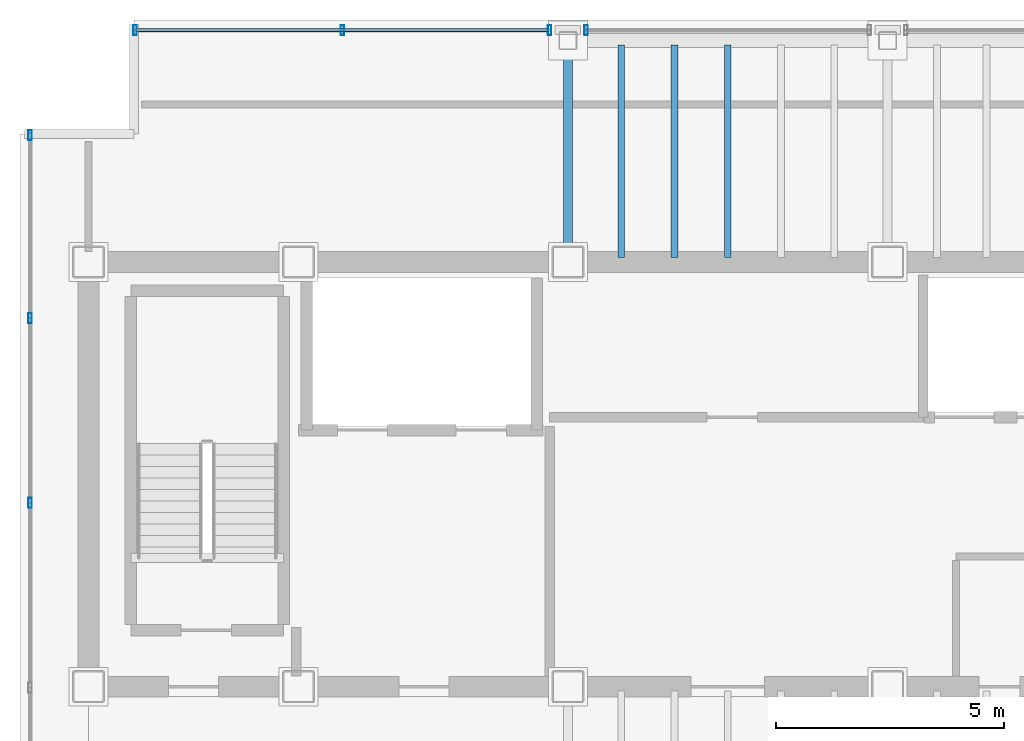
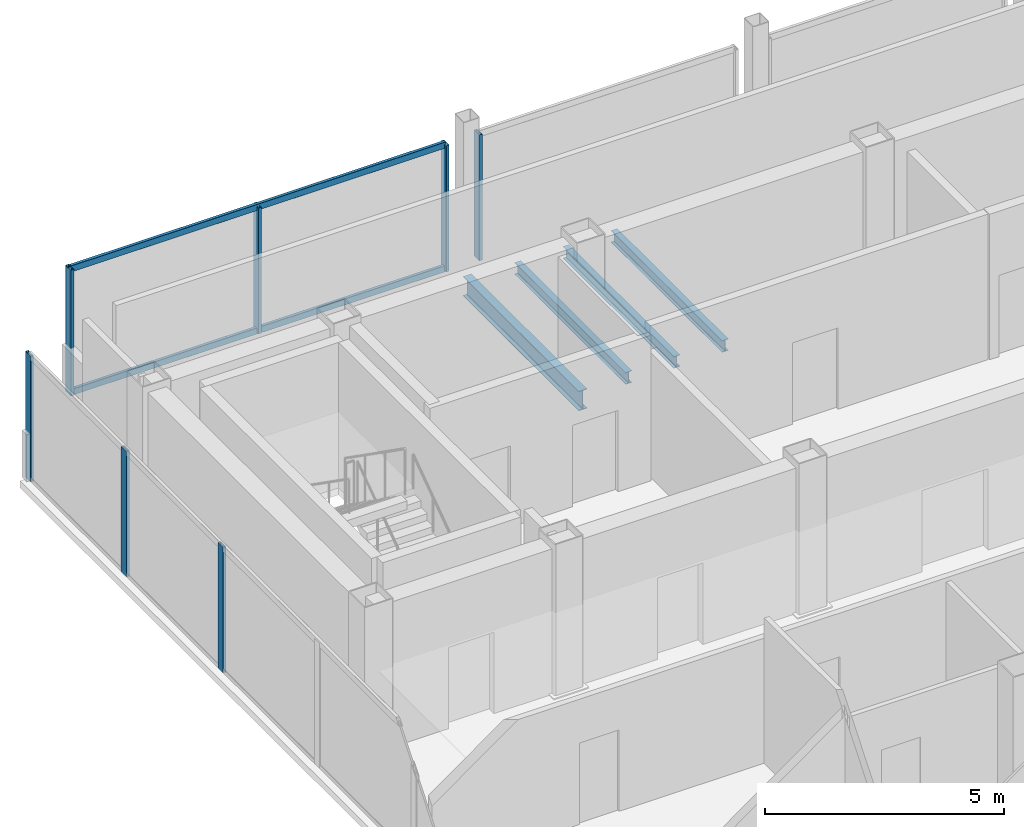
# One storey, part 8 of 17: 9 members, 4 beams, 3 elements without a shape of their own.
"""IFC4 building model written with IfcOpenShell, lengths in metres."""

from ifc_helpers import new_model, si_unit, direction, frame, origin, origin_2d, place, context, subcontext, project, spatial, hollow_rectangle, i_section, extrude, material, material_profile, profile_set, type_object, element, aggregate, save


model = new_model("IFC4")

# Units and contexts
model_context = context("Model", 3, precision=1e-05, world=origin(), true_north=direction((0.0, 1.0)))
body_context = subcontext(model_context, "Body", "Model", "MODEL_VIEW")
ifc_project = project(units=[si_unit("LENGTHUNIT", "METRE"), si_unit("AREAUNIT", "SQUARE_METRE"), si_unit("VOLUMEUNIT", "CUBIC_METRE"), si_unit("PLANEANGLEUNIT", "RADIAN"), si_unit("MASSUNIT", "GRAM", prefix="KILO")], contexts=[model_context])

# Site, building, storey
site_placement = place(None, origin())
site = spatial("IfcSite", under=ifc_project, at=site_placement, CompositionType="ELEMENT")
building_placement = place(site_placement, origin())
building = spatial("IfcBuilding", under=site, at=building_placement, Name="Noeulbin Bourse Tower", CompositionType="ELEMENT")
storey_placement = place(building_placement, frame((0.0, 0.0, 293.0)))
storey = spatial("IfcBuildingStorey", under=building, at=storey_placement, Name="L73", CompositionType="ELEMENT", Elevation=293.0)

# Beams
ifc_material_1 = material(Name="Steel S355", Category="steel")
ifc_material_profile_1 = material_profile(ifc_material_1, i_section(OverallWidth=0.199951171875, OverallDepth=0.5, WebThickness=0.010009765625, FlangeThickness=0.01611328125, FilletRadius=0.02001953125, at=origin_2d()), Name="H-500x200x10x16", Category="LoadBearing")
ifc_profile_set_1 = profile_set([ifc_material_profile_1], Name="Steel S355")
beam_type_1 = type_object("IfcBeamType", Name="BM-GRD-500", PredefinedType="USERDEFINED", material=ifc_profile_set_1)
beam_placement = place(storey_placement, frame((24.0, 38.300048828125, -0.429931640625), z_axis=(0.0, 1.0, 0.0), x_axis=(-1.0, 0.0, 0.0)))
element("IfcBeam", 1, at=beam_placement, inside=storey, type_object=beam_type_1, Name="Tower Primary Girder NS L73-2.4", ObjectType="GIRDER", PredefinedType="USERDEFINED", context=body_context, shape_type="SweptSolid", body=[
    extrude(i_section(OverallWidth=0.199951171875, OverallDepth=0.5, WebThickness=0.010009765625, FlangeThickness=0.01611328125, FilletRadius=0.02001953125, at=origin_2d()), origin(), (0.0, 0.0, 1.0), 4.849853515625),
])
ifc_material_profile_2 = material_profile(ifc_material_1, i_section(OverallWidth=0.14990234375, OverallDepth=0.300048828125, WebThickness=0.006591796875, FlangeThickness=0.009033203125, FilletRadius=0.012939453125, at=origin_2d()), Name="H-300x150x6.5x9", Category="LoadBearing")
ifc_profile_set_2 = profile_set([ifc_material_profile_2], Name="Steel S355")
beam_type_2 = type_object("IfcBeamType", Name="BM-JST-300", PredefinedType="JOIST", material=ifc_profile_set_2)
for number, where, z_axis, x_axis, name in (
    (2, (25.166748046875, 38.39990234375, -0.330078125), (0.0, 1.0, 0.0), (-1.0, 0.0, 0.0), "Tower Composite Joist L73-02"),
    (3, (26.333251953125, 38.39990234375, -0.330078125), (0.0, 1.0, 0.0), (-1.0, 0.0, 0.0), "Tower Composite Joist L73-04"),
    (4, (27.5, 38.39990234375, -0.330078125), (0.0, 1.0, 0.0), (-1.0, 0.0, 0.0), "Tower Composite Joist L73-06"),
):
    element("IfcBeam", number, at=place(storey_placement, frame(where, z_axis=z_axis, x_axis=x_axis)), inside=storey, type_object=beam_type_2, Name=name, PredefinedType="JOIST", context=body_context, shape_type="SweptSolid", body=[
        extrude(i_section(OverallWidth=0.14990234375, OverallDepth=0.300048828125, WebThickness=0.006591796875, FlangeThickness=0.009033203125, FilletRadius=0.012939453125, at=origin_2d()), origin(), (0.0, 0.0, 1.0), 4.650146484375),
    ])

# Curtain wall, members
ifc_material_2 = material(Name="High-Selectivity Low-Iron Glazing", Category="glass")
curtain_wall_type = type_object("IfcCurtainWallType", Name="CW-SYS-4", PredefinedType="NOTDEFINED", material=ifc_material_2)
curtain_wall_1_placement = place(storey_placement, origin())
curtain_wall_1 = element("IfcCurtainWall", 5, at=curtain_wall_1_placement, inside=storey, type_object=curtain_wall_type, Name="Unitised Curtain Wall CW-L73-N-S1", PredefinedType="NOTDEFINED")
ifc_material_3 = material(Name="Anodised Aluminium 6063-T6", Category="aluminium")
ifc_material_profile_3 = material_profile(ifc_material_3, hollow_rectangle(XDim=0.074951171875, YDim=0.219970703125, WallThickness=0.0048828125, InnerFilletRadius=0.00244140625, OuterFilletRadius=0.0048828125, at=origin_2d()), Name="ALU-MULL-75x220x5", Category="LoadBearing")
ifc_profile_set_3 = profile_set([ifc_material_profile_3], Name="Anodised Aluminium 6063-T6")
member_type_1 = type_object("IfcMemberType", Name="CW-SYS-4-MUL", PredefinedType="MULLION", material=ifc_profile_set_3)
member_1_placement = place(storey_placement, frame((14.52001953125, 43.3798828125, -0.02001953125), z_axis=(0.0, 0.0, 1.0), x_axis=(1.0, 0.0, 0.0)))
member_1 = element("IfcMember", 6, at=member_1_placement, type_object=member_type_1, Name="Curtain Wall Mullion CW-L73-N-S1-M00", PredefinedType="MULLION", context=body_context, shape_type="SweptSolid", body=[
    extrude(hollow_rectangle(XDim=0.074951171875, YDim=0.219970703125, WallThickness=0.0048828125, InnerFilletRadius=0.00244140625, OuterFilletRadius=0.0048828125, at=origin_2d()), origin(), (0.0, 0.0, 1.0), 3.219970703125),
])
member_2_placement = place(storey_placement, frame((19.06005859375, 43.3798828125, -0.02001953125), z_axis=(0.0, 0.0, 1.0), x_axis=(1.0, 0.0, 0.0)))
member_2 = element("IfcMember", 7, at=member_2_placement, type_object=member_type_1, Name="Curtain Wall Mullion CW-L73-N-S1-M01", PredefinedType="MULLION", context=body_context, shape_type="SweptSolid", body=[
    extrude(hollow_rectangle(XDim=0.074951171875, YDim=0.219970703125, WallThickness=0.0048828125, InnerFilletRadius=0.00244140625, OuterFilletRadius=0.0048828125, at=origin_2d()), origin(), (0.0, 0.0, 1.0), 3.219970703125),
])
member_3_placement = place(storey_placement, frame((23.60009765625, 43.3798828125, -0.02001953125), z_axis=(0.0, 0.0, 1.0), x_axis=(1.0, 0.0, 0.0)))
member_3 = element("IfcMember", 8, at=member_3_placement, type_object=member_type_1, Name="Curtain Wall Mullion CW-L73-N-S1-M02", PredefinedType="MULLION", context=body_context, shape_type="SweptSolid", body=[
    extrude(hollow_rectangle(XDim=0.074951171875, YDim=0.219970703125, WallThickness=0.0048828125, InnerFilletRadius=0.00244140625, OuterFilletRadius=0.0048828125, at=origin_2d()), origin(), (0.0, 0.0, 1.0), 3.219970703125),
])

# Curtain wall, member
curtain_wall_2_placement = place(storey_placement, origin())
curtain_wall_2 = element("IfcCurtainWall", 9, at=curtain_wall_2_placement, inside=storey, type_object=curtain_wall_type, Name="Unitised Curtain Wall CW-L73-N-S2", PredefinedType="NOTDEFINED")
member_4_placement = place(storey_placement, frame((24.39990234375, 43.3798828125, -0.02001953125), z_axis=(0.0, 0.0, 1.0), x_axis=(1.0, 0.0, 0.0)))
member_4 = element("IfcMember", 10, at=member_4_placement, type_object=member_type_1, Name="Curtain Wall Mullion CW-L73-N-S2-M00", PredefinedType="MULLION", context=body_context, shape_type="SweptSolid", body=[
    extrude(hollow_rectangle(XDim=0.074951171875, YDim=0.219970703125, WallThickness=0.0048828125, InnerFilletRadius=0.00244140625, OuterFilletRadius=0.0048828125, at=origin_2d()), origin(), (0.0, 0.0, 1.0), 3.219970703125),
])
aggregate(curtain_wall_2, [member_4])

# Curtain wall, members
curtain_wall_3_placement = place(storey_placement, origin())
curtain_wall_3 = element("IfcCurtainWall", 11, at=curtain_wall_3_placement, inside=storey, type_object=curtain_wall_type, Name="Unitised Curtain Wall CW-L73-W", PredefinedType="NOTDEFINED")
member_5_placement = place(storey_placement, frame((12.219970703125, 33.02392578125, -0.02001953125), z_axis=(0.0, 0.0, 1.0), x_axis=(1.0, 0.0, 0.0)))
member_5 = element("IfcMember", 12, at=member_5_placement, type_object=member_type_1, Name="Curtain Wall Mullion CW-L73-W-M03", PredefinedType="MULLION", context=body_context, shape_type="SweptSolid", body=[
    extrude(hollow_rectangle(XDim=0.074951171875, YDim=0.219970703125, WallThickness=0.0048828125, InnerFilletRadius=0.00244140625, OuterFilletRadius=0.0048828125, at=origin_2d()), origin(), (0.0, 0.0, 1.0), 3.219970703125),
])
member_6_placement = place(storey_placement, frame((12.219970703125, 37.072021484375, -0.02001953125), z_axis=(0.0, 0.0, 1.0), x_axis=(1.0, 0.0, 0.0)))
member_6 = element("IfcMember", 13, at=member_6_placement, type_object=member_type_1, Name="Curtain Wall Mullion CW-L73-W-M04", PredefinedType="MULLION", context=body_context, shape_type="SweptSolid", body=[
    extrude(hollow_rectangle(XDim=0.074951171875, YDim=0.219970703125, WallThickness=0.0048828125, InnerFilletRadius=0.00244140625, OuterFilletRadius=0.0048828125, at=origin_2d()), origin(), (0.0, 0.0, 1.0), 3.219970703125),
])
member_7_placement = place(storey_placement, frame((12.219970703125, 41.080078125, -0.02001953125), z_axis=(0.0, 0.0, 1.0), x_axis=(1.0, 0.0, 0.0)))
member_7 = element("IfcMember", 14, at=member_7_placement, type_object=member_type_1, Name="Curtain Wall Mullion CW-L73-W-M05", PredefinedType="MULLION", context=body_context, shape_type="SweptSolid", body=[
    extrude(hollow_rectangle(XDim=0.074951171875, YDim=0.219970703125, WallThickness=0.0048828125, InnerFilletRadius=0.00244140625, OuterFilletRadius=0.0048828125, at=origin_2d()), origin(), (0.0, 0.0, 1.0), 3.219970703125),
])
aggregate(curtain_wall_3, [member_5, member_6, member_7])

# Member
ifc_material_profile_4 = material_profile(ifc_material_3, hollow_rectangle(XDim=0.074951171875, YDim=0.159912109375, WallThickness=0.0048828125, InnerFilletRadius=0.00244140625, OuterFilletRadius=0.0048828125, at=origin_2d()), Name="ALU-TRAN-75x160x5", Category="LoadBearing")
ifc_profile_set_4 = profile_set([ifc_material_profile_4], Name="Anodised Aluminium 6063-T6")
member_type_2 = type_object("IfcMemberType", Name="CW-SYS-4-TRN", PredefinedType="USERDEFINED", material=ifc_profile_set_4)
member_8_placement = place(storey_placement, frame((14.530029296875, 43.3798828125, 0.010009765625), z_axis=(1.0, 0.0, 0.0), x_axis=(0.0, 1.0, 0.0)))
member_8 = element("IfcMember", 15, at=member_8_placement, type_object=member_type_2, Name="Curtain Wall Transom CW-L73-N-S1-T00", ObjectType="TRANSOM", PredefinedType="USERDEFINED", context=body_context, shape_type="SweptSolid", body=[
    extrude(hollow_rectangle(XDim=0.074951171875, YDim=0.159912109375, WallThickness=0.0048828125, InnerFilletRadius=0.00244140625, OuterFilletRadius=0.0048828125, at=origin_2d()), origin(), (0.0, 0.0, 1.0), 9.06005859375),
])

member_9_placement = place(storey_placement, frame((14.530029296875, 43.3798828125, 3.169921875), z_axis=(1.0, 0.0, 0.0), x_axis=(0.0, 1.0, 0.0)))
member_9 = element("IfcMember", 16, at=member_9_placement, type_object=member_type_2, Name="Curtain Wall Transom CW-L73-N-S1-T01", ObjectType="TRANSOM", PredefinedType="USERDEFINED", context=body_context, shape_type="SweptSolid", body=[
    extrude(hollow_rectangle(XDim=0.074951171875, YDim=0.159912109375, WallThickness=0.0048828125, InnerFilletRadius=0.00244140625, OuterFilletRadius=0.0048828125, at=origin_2d()), origin(), (0.0, 0.0, 1.0), 9.06005859375),
])

aggregate(curtain_wall_1, [member_1, member_2, member_3, member_8, member_9])

save(model, "model.ifc")
